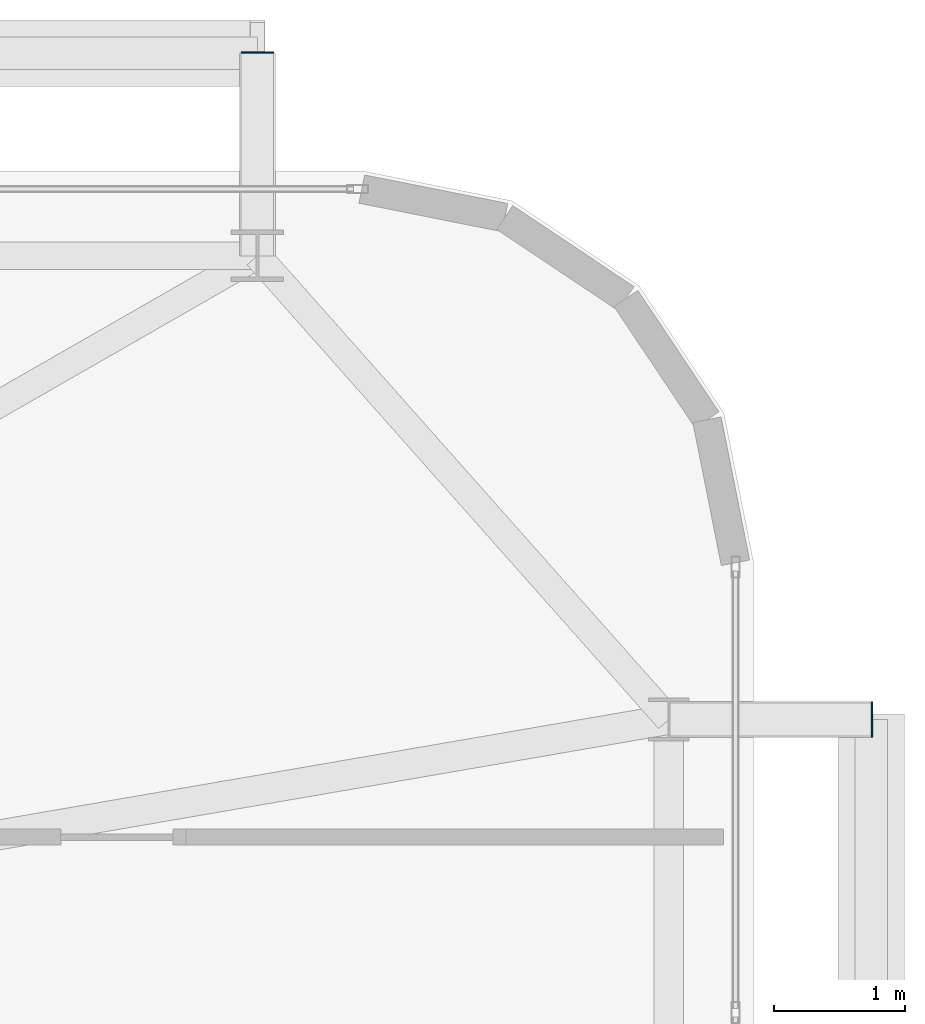
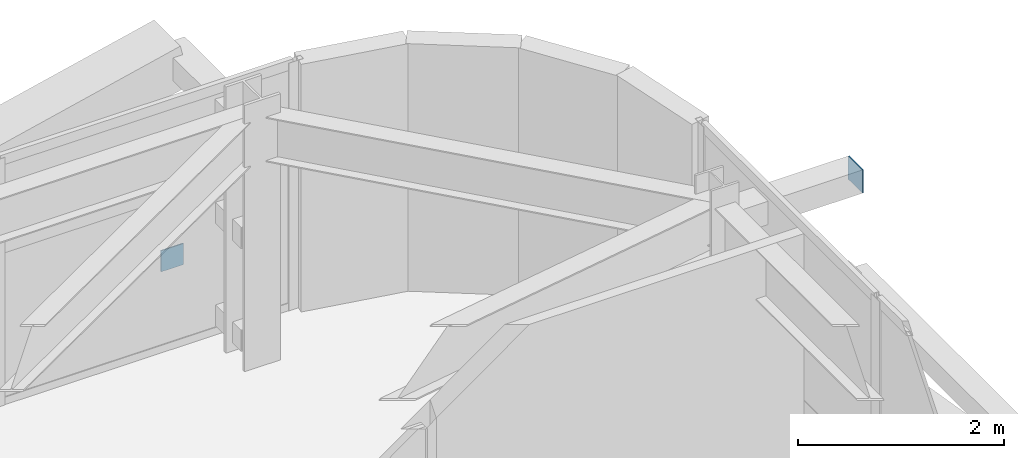
# One storey, part 51 of 59: 2 plates.
"""IFC4 building model written with IfcOpenShell, lengths in metres."""

from ifc_helpers import new_model, si_unit, direction, frame, origin, origin_2d, place, context, subcontext, project, spatial, rectangle, extrude, source, transform, mapped, material, layer, layer_set, type_object, element, save


model = new_model("IFC4")

# Units and contexts
model_context = context("Model", 3, precision=1e-05, world=origin(), true_north=direction((0.0, 1.0)))
body_context = subcontext(model_context, "Body", "Model", "MODEL_VIEW")
ifc_project = project(units=[si_unit("LENGTHUNIT", "METRE"), si_unit("AREAUNIT", "SQUARE_METRE"), si_unit("VOLUMEUNIT", "CUBIC_METRE"), si_unit("PLANEANGLEUNIT", "RADIAN"), si_unit("MASSUNIT", "GRAM", prefix="KILO")], contexts=[model_context])

# Site, building, storey
site_placement = place(None, origin())
site = spatial("IfcSite", under=ifc_project, at=site_placement, CompositionType="ELEMENT")
building_placement = place(site_placement, origin())
building = spatial("IfcBuilding", under=site, at=building_placement, Name="Taldren Reach Tower", CompositionType="ELEMENT")
storey_placement = place(building_placement, frame((0.0, 0.0, 23.10009765625)))
storey = spatial("IfcBuildingStorey", under=building, at=storey_placement, Name="L06", CompositionType="ELEMENT", Elevation=23.10009765625)

# Plates
ifc_material_1 = material(Name="Steel Gr 450 (C450L0)", Category="steel")
ifc_layer_1 = layer(ifc_material_1, 0.011962890625)
ifc_layer_set_1 = layer_set([ifc_layer_1], Name="Steel Gr 450 (C450L0)")
plate_type_1 = type_object("IfcPlateType", Name="PL-CAP-275", PredefinedType="SHEET", material=ifc_layer_set_1)
shared_shape_1 = source(origin(), body_context, "Body", "SweptSolid", [
    extrude(rectangle(XDim=0.011962890625, YDim=0.27490234375, at=origin_2d()), origin(), (0.0, 0.0, 1.0), 0.27490234375),
])
plate_1_placement = place(storey_placement, frame((65.906005859375, 34.300048828125, 2.512451171875), z_axis=(0.0, 0.0, 1.0), x_axis=(1.0, 0.0, 0.0)))
element("IfcPlate", 1, at=plate_1_placement, inside=storey, type_object=plate_type_1, Name="Tie strut end cap plate B1-E3 L06", PredefinedType="SHEET", context=body_context, shape_type="MappedRepresentation", body=[
    mapped(shared_shape_1, transform((0.0, 0.0, 0.0), scale=1.0)),
])
ifc_material_2 = material(Name="Steel Gr 350 (C350L0)", Category="steel")
ifc_layer_2 = layer(ifc_material_2, 0.011962890625)
ifc_layer_set_2 = layer_set([ifc_layer_2], Name="Steel Gr 350 (C350L0)")
plate_type_2 = type_object("IfcPlateType", Name="PL-CAP-250", PredefinedType="SHEET", material=ifc_layer_set_2)
shared_shape_2 = source(origin(), body_context, "Body", "SweptSolid", [
    extrude(rectangle(XDim=0.25, YDim=0.011962890625, at=origin_2d()), origin(), (0.0, 0.0, 1.0), 0.25),
])
plate_2_placement = place(storey_placement, frame((61.199951171875, 39.406005859375, 0.094970703125), z_axis=(0.0, 0.0, 1.0), x_axis=(1.0, 0.0, 0.0)))
element("IfcPlate", 2, at=plate_2_placement, inside=storey, type_object=plate_type_2, Name="Tie strut end cap plate B1-N6 L06", PredefinedType="SHEET", context=body_context, shape_type="MappedRepresentation", body=[
    mapped(shared_shape_2, transform((0.0, 0.0, 0.0), scale=1.0)),
])

save(model, "model.ifc")
